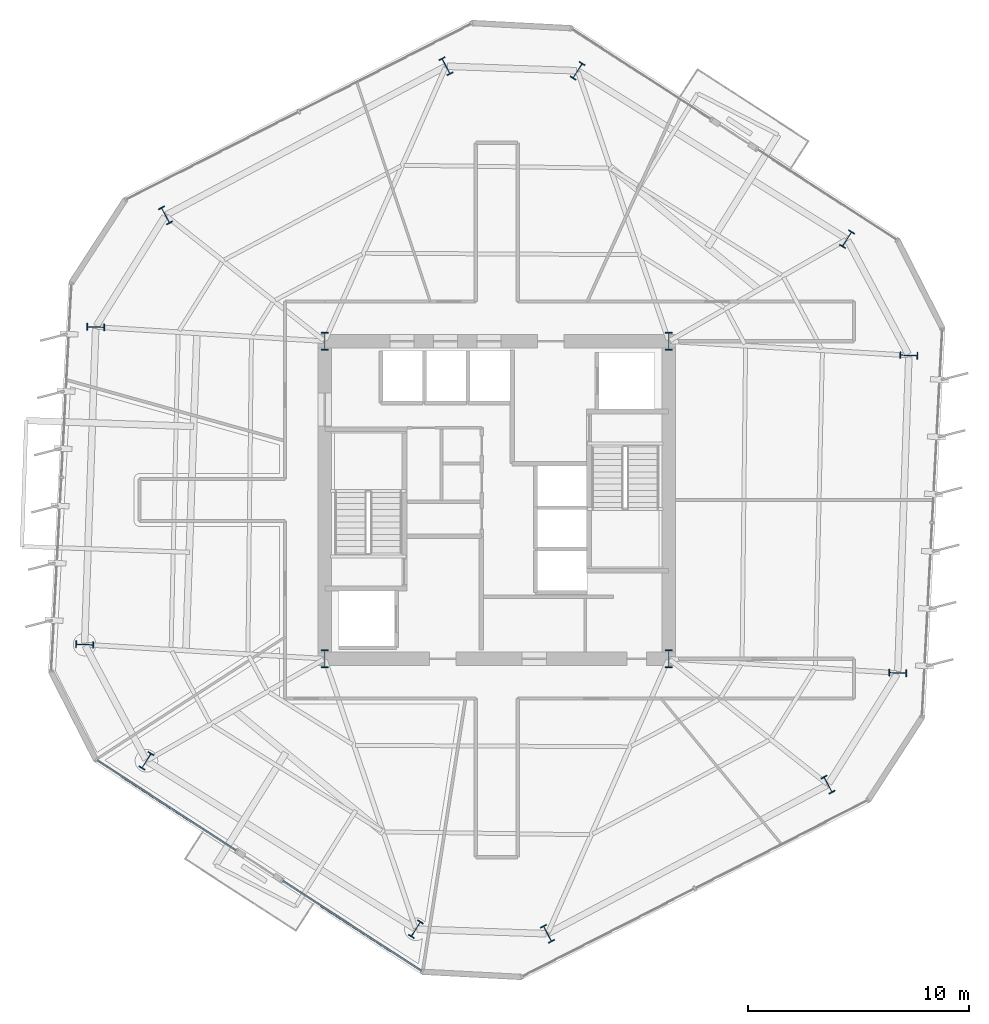
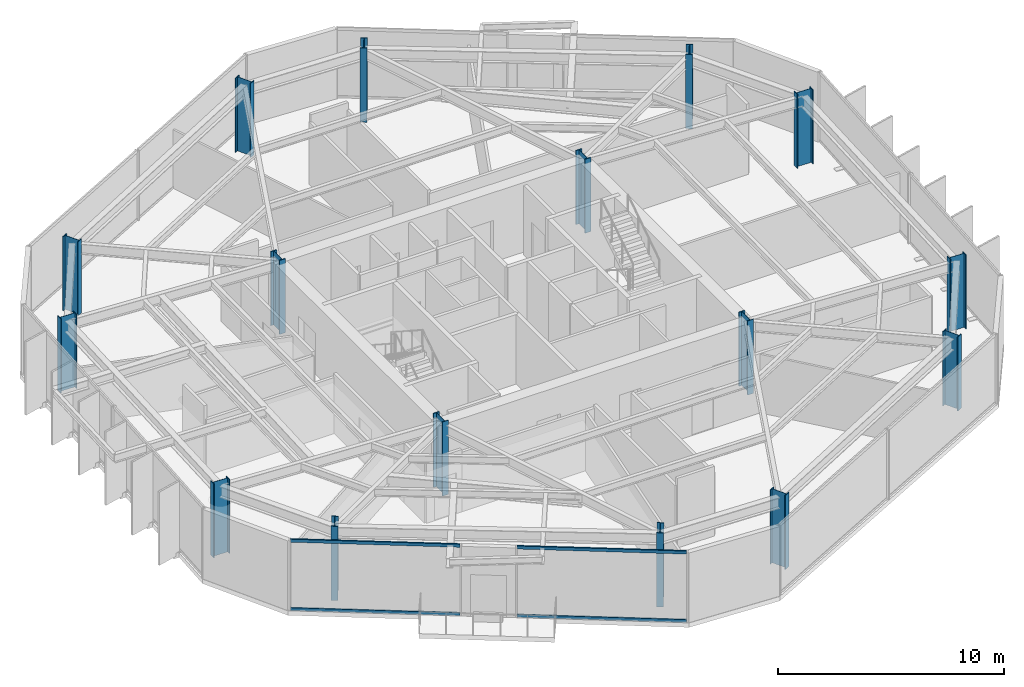
# One storey, part 1 of 10: 16 columns, 4 members, 2 elements without a shape of their own.
"""IFC4 building model written with IfcOpenShell, lengths in metres."""

from ifc_helpers import new_model, si_unit, direction, frame, origin, origin_2d, place, context, subcontext, project, spatial, rectangle, i_section, extrude, material, layer, layer_set, material_profile, profile_set, type_object, element, aggregate, save


model = new_model("IFC4")

# Units and contexts
model_context = context("Model", 3, precision=1e-05, world=origin(), true_north=direction((0.0, 1.0)))
body_context = subcontext(model_context, "Body", "Model", "MODEL_VIEW")
ifc_project = project(units=[si_unit("LENGTHUNIT", "METRE"), si_unit("AREAUNIT", "SQUARE_METRE"), si_unit("VOLUMEUNIT", "CUBIC_METRE"), si_unit("PLANEANGLEUNIT", "RADIAN"), si_unit("MASSUNIT", "GRAM", prefix="KILO")], contexts=[model_context])

# Site, building, storey
site_placement = place(None, origin())
site = spatial("IfcSite", under=ifc_project, at=site_placement, CompositionType="ELEMENT")
building_placement = place(site_placement, origin())
building = spatial("IfcBuilding", under=site, at=building_placement, Name="Kranzbogen Civic Tower", CompositionType="ELEMENT")
storey_placement = place(building_placement, frame((0.0, 0.0, 130.39990234375)))
storey = spatial("IfcBuildingStorey", under=building, at=storey_placement, Name="L31", CompositionType="ELEMENT", Elevation=130.39990234375)

# Columns
ifc_material_1 = material(Name="Steel S460", Category="steel")
ifc_material_profile_1 = material_profile(ifc_material_1, i_section(OverallWidth=0.302978515625, OverallDepth=0.81396484375, WebThickness=0.02099609375, FlangeThickness=0.0400390625, at=origin_2d()), Name="HEM 800")
ifc_profile_set_1 = profile_set([ifc_material_profile_1], Name="Steel S460")
column_type = type_object("IfcColumnType", Name="Structural Column HEM 800", PredefinedType="COLUMN", material=ifc_profile_set_1)
for number, where, z_axis, x_axis, name in (
    (1, (17.199951171875, 17.800048828125, 0.0), (0.0, 0.0, 1.0), (1.0, 0.0, 0.0), "L31 composite core corner column 1"),
    (2, (32.800048828125, 17.800048828125, 0.0), (0.0, 0.0, 1.0), (1.0, 0.0, 0.0), "L31 composite core corner column 2"),
    (3, (32.800048828125, 32.199951171875, 0.0), (0.0, 0.0, 1.0), (1.0, 0.0, 0.0), "L31 composite core corner column 3"),
    (4, (17.199951171875, 32.199951171875, 0.0), (0.0, 0.0, 1.0), (1.0, 0.0, 0.0), "L31 composite core corner column 4"),
    (5, (40.885986328125, 36.8291015625, 0.0), (0.0, 0.0, 1.0), (-0.848048096156, 0.529919264233, 0.0), "L31 tower perimeter tube column 01"),
    (6, (28.66796875, 44.464111328125, 0.0), (0.0, 0.0, 1.0), (-0.848048096156, 0.529919264233, 0.0), "L31 tower perimeter tube column 02"),
    (7, (22.698974609375, 44.672119140625, 0.0), (0.0, 0.0, 1.0), (0.882947592859, 0.469471562786, 0.0), "L31 tower perimeter tube column 03"),
    (8, (9.97705078125, 37.907958984375, 0.0), (0.0, 0.0, 1.0), (0.882947592859, 0.469471562786, 0.0), "L31 tower perimeter tube column 04"),
    (9, (6.81298828125, 32.843994140625, 0.0), (0.0, 0.0, 1.0), (0.034899496703, 0.999390827019, 0.0), "L31 tower perimeter tube column 05"),
    (10, (6.31005859375, 18.444091796875, 0.0), (0.0, 0.0, 1.0), (0.034899496703, 0.999390827019, 0.0), "L31 tower perimeter tube column 06"),
    (11, (9.114013671875, 13.1708984375, 0.0), (0.0, 0.0, 1.0), (-0.848048096156, 0.529919264233, 0.0), "L31 tower perimeter tube column 07"),
    (12, (21.33203125, 5.535888671875, 0.0), (0.0, 0.0, 1.0), (-0.848048096156, 0.529919264233, 0.0), "L31 tower perimeter tube column 08"),
    (13, (27.301025390625, 5.327880859375, 0.0), (0.0, 0.0, 1.0), (0.882947592859, 0.469471562786, 0.0), "L31 tower perimeter tube column 09"),
    (14, (40.02294921875, 12.092041015625, 0.0), (0.0, 0.0, 1.0), (0.882947592859, 0.469471562786, 0.0), "L31 tower perimeter tube column 10"),
    (15, (43.18701171875, 17.156005859375, 0.0), (0.0, 0.0, 1.0), (0.034899496703, 0.999390827019, 0.0), "L31 tower perimeter tube column 11"),
    (16, (43.68994140625, 31.555908203125, 0.0), (0.0, 0.0, 1.0), (0.034899496703, 0.999390827019, 0.0), "L31 tower perimeter tube column 12"),
):
    element("IfcColumn", number, at=place(storey_placement, frame(where, z_axis=z_axis, x_axis=x_axis)), inside=storey, type_object=column_type, Name=name, PredefinedType="COLUMN", context=body_context, shape_type="SweptSolid", body=[
        extrude(i_section(OverallWidth=0.302978515625, OverallDepth=0.81396484375, WebThickness=0.02099609375, FlangeThickness=0.0400390625, at=origin_2d()), origin(), (0.0, 0.0, 1.0), 4.0),
    ])

# Curtain wall, members
ifc_material_2 = material(Name="Pale Anodised Aluminium", Category="aluminium")
ifc_layer = layer(ifc_material_2, 0.219970703125, Name="Pale Anodised Aluminium")
ifc_layer_set = layer_set([ifc_layer], Name="Pale Anodised Aluminium")
curtain_wall_type = type_object("IfcCurtainWallType", Name="Zone 2 Stick Curtain Wall System CW-03", PredefinedType="USERDEFINED", material=ifc_layer_set)
curtain_wall_1_placement = place(storey_placement, origin())
curtain_wall_1 = element("IfcCurtainWall", 17, at=curtain_wall_1_placement, inside=storey, type_object=curtain_wall_type, Name="L31 curtain wall CW-L31-F4-S1", ObjectType="STICK CURTAIN WALL", PredefinedType="USERDEFINED")
ifc_material_profile_2 = material_profile(ifc_material_2, rectangle(XDim=0.074951171875, YDim=0.1650390625, at=origin_2d()), Name="ALU-T 75x165")
ifc_profile_set_2 = profile_set([ifc_material_profile_2], Name="Pale Anodised Aluminium")
member_type = type_object("IfcMemberType", Name="Curtain Wall Transom ALU-T 75x165", PredefinedType="USERDEFINED", material=ifc_profile_set_2)
member_1_placement = place(storey_placement, frame((6.873291015625, 13.1962890625, 0.030029296875), z_axis=(0.838643999637, -0.544679944437, 0.0), x_axis=(0.544679944437, 0.838643999637, 0.0)))
member_1 = element("IfcMember", 18, at=member_1_placement, type_object=member_type, Name="CW-03 transom 1.1", ObjectType="TRANSOM", PredefinedType="USERDEFINED", context=body_context, shape_type="SweptSolid", body=[
    extrude(rectangle(XDim=0.074951171875, YDim=0.1650390625, at=origin_2d()), origin(), (0.0, 0.0, 1.0), 7.513671875),
])
member_2_placement = place(storey_placement, frame((6.873291015625, 13.1962890625, 3.72998046875), z_axis=(0.838643999637, -0.544679944437, 0.0), x_axis=(0.544679944437, 0.838643999637, 0.0)))
member_2 = element("IfcMember", 19, at=member_2_placement, type_object=member_type, Name="CW-03 transom 1.2", ObjectType="TRANSOM", PredefinedType="USERDEFINED", context=body_context, shape_type="SweptSolid", body=[
    extrude(rectangle(XDim=0.074951171875, YDim=0.1650390625, at=origin_2d()), origin(), (0.0, 0.0, 1.0), 7.513671875),
])
aggregate(curtain_wall_1, [member_1, member_2])

curtain_wall_2_placement = place(storey_placement, origin())
curtain_wall_2 = element("IfcCurtainWall", 20, at=curtain_wall_2_placement, inside=storey, type_object=curtain_wall_type, Name="L31 curtain wall CW-L31-F4-S2", ObjectType="STICK CURTAIN WALL", PredefinedType="USERDEFINED")
member_3_placement = place(storey_placement, frame((15.288330078125, 7.731201171875, 0.030029296875), z_axis=(0.838643999637, -0.544679944437, 0.0), x_axis=(0.544679944437, 0.838643999637, 0.0)))
member_3 = element("IfcMember", 21, at=member_3_placement, type_object=member_type, Name="CW-03 transom 1.1", ObjectType="TRANSOM", PredefinedType="USERDEFINED", context=body_context, shape_type="SweptSolid", body=[
    extrude(rectangle(XDim=0.074951171875, YDim=0.1650390625, at=origin_2d()), origin(), (0.0, 0.0, 1.0), 7.513671875),
])
member_4_placement = place(storey_placement, frame((15.288330078125, 7.731201171875, 3.72998046875), z_axis=(0.838643999637, -0.544679944437, 0.0), x_axis=(0.544679944437, 0.838643999637, 0.0)))
member_4 = element("IfcMember", 22, at=member_4_placement, type_object=member_type, Name="CW-03 transom 1.2", ObjectType="TRANSOM", PredefinedType="USERDEFINED", context=body_context, shape_type="SweptSolid", body=[
    extrude(rectangle(XDim=0.074951171875, YDim=0.1650390625, at=origin_2d()), origin(), (0.0, 0.0, 1.0), 7.513671875),
])
aggregate(curtain_wall_2, [member_3, member_4])

save(model, "model.ifc")
